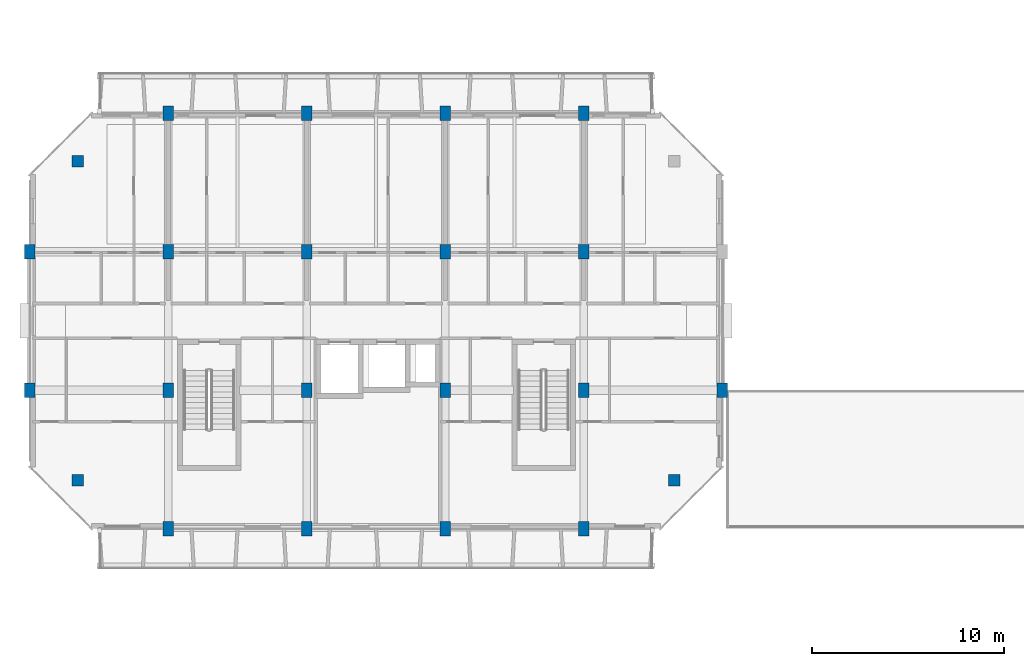
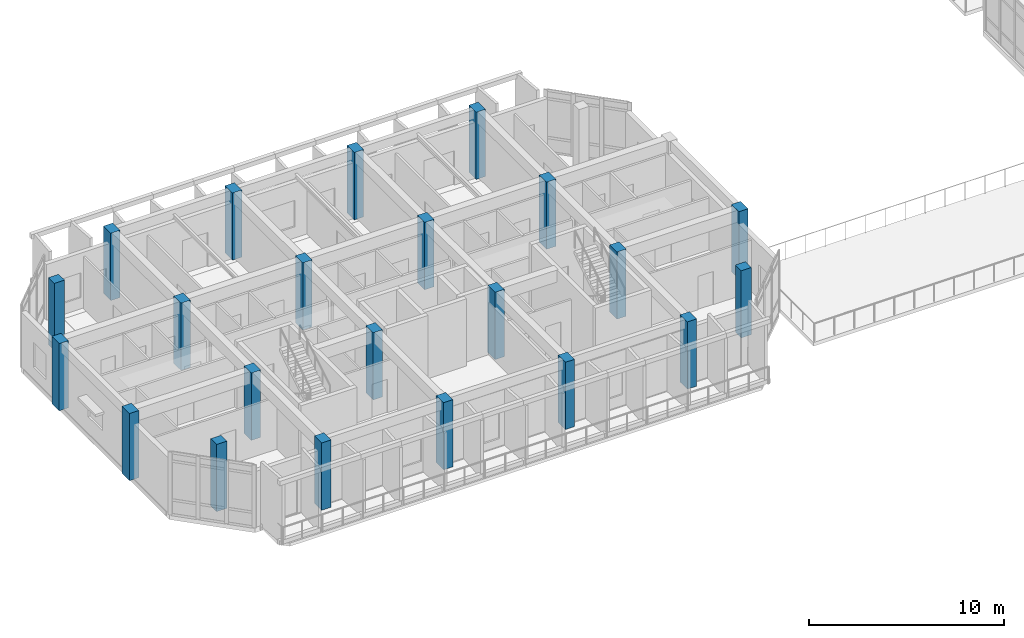
# One storey, part 10 of 85: 22 columns.
"""IFC4 building model written with IfcOpenShell, lengths in metres."""

import ifcopenshell
import ifcopenshell.guid

model = None  # the IFC model being written
_history = None  # IfcOwnerHistory: only IFC2X3 demands one
_inside = {}  # id of a spatial element -> (the spatial element, [elements in it])
_under = {}  # id of a project, library or spatial element -> (it, [spatial elements below it])
_declared = {}  # id of a project -> (the project, [libraries it declares])
_typed = {}  # id of a type object -> (the type object, [elements of that type])
_made_of = {}  # id of a material, layer set ... -> (it, [elements and type objects made of it])


def new_model(schema):
    """Start an empty IFC model of exactly this schema.

    Asked for "IFC4X3", IfcOpenShell would pick the latest addendum, in which some entities
    have other attributes; the version numbers below select the first issue.
    IFC2X3 requires an IfcOwnerHistory on every rooted entity: one is made here for all.
    """
    global model, _history
    if schema == "IFC4X3":
        model = ifcopenshell.file(schema_version=(4, 3, 0, 0))
    else:
        model = ifcopenshell.file(schema=schema)
    _inside.clear()
    _under.clear()
    _declared.clear()
    _typed.clear()
    _made_of.clear()
    _history = None
    if model.schema == "IFC2X3":
        org = make("IfcOrganization", Name="unknown")
        user = make(
            "IfcPersonAndOrganization",
            ThePerson=make("IfcPerson", FamilyName="unknown"),
            TheOrganization=org,
        )
        app = make(
            "IfcApplication",
            ApplicationDeveloper=org,
            Version="unknown",
            ApplicationFullName="unknown",
            ApplicationIdentifier="unknown",
        )
        _history = make(
            "IfcOwnerHistory",
            OwningUser=user,
            OwningApplication=app,
            ChangeAction="ADDED",
            CreationDate=0,
        )
    return model


def make(cls, **values):
    """One entity of the class cls with the attributes given. An attribute that is None is left unset."""
    return model.create_entity(
        cls, **{name: value for name, value in values.items() if value is not None}
    )


def rooted(cls, **values):
    """An entity with a GlobalId (a new one), such as an element, a storey or a relation."""
    return make(cls, GlobalId=ifcopenshell.guid.new(), OwnerHistory=_history, **values)


def si_unit(unit_type, name, prefix=None):
    """IfcSIUnit, for example si_unit("LENGTHUNIT", "METRE", prefix="MILLI")."""
    return make("IfcSIUnit", UnitType=unit_type, Prefix=prefix, Name=name)


def assignment(units):
    """IfcUnitAssignment: the units of a project."""
    return None if units is None else make("IfcUnitAssignment", Units=units)


def point(xyz):
    """IfcCartesianPoint."""
    return None if xyz is None else make("IfcCartesianPoint", Coordinates=xyz)


def direction(xyz):
    """IfcDirection."""
    return None if xyz is None else make("IfcDirection", DirectionRatios=xyz)


def frame(location, z_axis=None, x_axis=None):
    """IfcAxis2Placement3D, a coordinate frame: its origin and axes. An axis left out is left unset."""
    return make(
        "IfcAxis2Placement3D",
        Location=point(location),
        Axis=direction(z_axis),
        RefDirection=direction(x_axis),
    )


def frame_2d(location, x_axis=None):
    """IfcAxis2Placement2D, a coordinate frame in the plane: its origin and x axis."""
    return make(
        "IfcAxis2Placement2D", Location=point(location), RefDirection=direction(x_axis)
    )


def origin():
    """The frame at (0, 0, 0) with its axes left unset."""
    return frame((0.0, 0.0, 0.0))


def origin_2d():
    """The frame at (0, 0) in the plane with its x axis left unset."""
    return frame_2d((0.0, 0.0))


def place(relative_to, where):
    """IfcLocalPlacement: puts the frame where relative to a parent placement (None: the world)."""
    return make(
        "IfcLocalPlacement", PlacementRelTo=relative_to, RelativePlacement=where
    )


def context(
    kind, dimensions, precision=None, world=None, true_north=None, identifier=None
):
    """IfcGeometricRepresentationContext, for example the 3D "Model" context."""
    return make(
        "IfcGeometricRepresentationContext",
        ContextIdentifier=identifier,
        ContextType=kind,
        CoordinateSpaceDimension=dimensions,
        Precision=precision,
        WorldCoordinateSystem=world,
        TrueNorth=true_north,
    )


def subcontext(parent, identifier, kind, view, scale=None):
    """IfcGeometricRepresentationSubContext, for example "Body" below "Model"."""
    return make(
        "IfcGeometricRepresentationSubContext",
        ContextIdentifier=identifier,
        ContextType=kind,
        ParentContext=parent,
        TargetScale=scale,
        TargetView=view,
    )


def project(units=None, contexts=None):
    """IfcProject with its units and contexts."""
    return rooted(
        "IfcProject",
        Name="project",
        RepresentationContexts=contexts,
        UnitsInContext=assignment(units),
    )


def spatial(cls, under=None, at=None, **own):
    """A site, building, storey or space (cls), placed at a placement, below another one or the project."""
    s = rooted(cls, ObjectPlacement=at, **own)
    if under is not None:
        _under.setdefault(under.id(), (under, []))[1].append(s)
    return s


def profile(cls, at=None, kind="AREA", **sizes):
    """A parametric profile (cls). Its sizes go by their IFC names, for example OverallWidth=200.0."""
    return make(cls, ProfileType=kind, Position=at, **sizes)


def rectangle(**sizes):
    """IfcRectangleProfileDef."""
    return profile("IfcRectangleProfileDef", **sizes)


def extrude(swept, where, along, depth):
    """IfcExtrudedAreaSolid: the profile swept, set in the frame where, extruded along a direction by depth."""
    return make(
        "IfcExtrudedAreaSolid",
        SweptArea=swept,
        Position=where,
        ExtrudedDirection=direction(along),
        Depth=depth,
    )


def shape(context_of_items, identifier, shape_type, items):
    """IfcShapeRepresentation: the items that make up one representation, for example the "Body"."""
    return make(
        "IfcShapeRepresentation",
        ContextOfItems=context_of_items,
        RepresentationIdentifier=identifier,
        RepresentationType=shape_type,
        Items=items,
    )


def material(Name=None, Category=None):
    """IfcMaterial."""
    return make("IfcMaterial", Name=Name, Category=Category)


def material_profile(
    of_material, cross_section, Name=None, Category=None, Priority=None
):
    """IfcMaterialProfile: a cross section and its material."""
    return make(
        "IfcMaterialProfile",
        Name=Name,
        Material=of_material,
        Profile=cross_section,
        Priority=Priority,
        Category=Category,
    )


def profile_set(profiles, Name=None, composite=None):
    """IfcMaterialProfileSet."""
    return make(
        "IfcMaterialProfileSet",
        Name=Name,
        MaterialProfiles=profiles,
        CompositeProfile=composite,
    )


def made_of(thing, what):
    """Note that an element or type object is made of a material, layer set ...; save() writes the relation."""
    if what is not None:
        _made_of.setdefault(what.id(), (what, []))[1].append(thing)
    return thing


def type_object(cls, material=None, **own):
    """A type object (cls), such as IfcWallType, which elements share."""
    return made_of(rooted(cls, **own), material)


def element(
    cls,
    number,
    at=None,
    inside=None,
    cuts=None,
    type_object=None,
    material=None,
    context=None,
    identifier="Body",
    shape_type=None,
    held_by="IfcProductDefinitionShape",
    body=None,
    shapes=None,
    **own,
):
    """One element of the class cls, such as IfcWall. Its Tag is "e" and its number.

    at: its placement. inside: the storey or other place that contains it. cuts: it is an
    opening in that element (IfcRelVoidsElement). A single representation is given by context,
    identifier, shape_type and body (its items); several are given by shapes. held_by: the class
    of the entity that holds the representations. save() writes the other relations.
    """
    e = rooted(cls, Tag="e%d" % number, ObjectPlacement=at, **own)
    if body is not None:
        shapes = [shape(context, identifier, shape_type, body)]
    if shapes is not None:
        e.Representation = make(held_by, Representations=shapes)
    if inside is not None:
        _inside.setdefault(inside.id(), (inside, []))[1].append(e)
    if cuts is not None:
        rooted(
            "IfcRelVoidsElement", RelatingBuildingElement=cuts, RelatedOpeningElement=e
        )
    if type_object is not None:
        _typed.setdefault(type_object.id(), (type_object, []))[1].append(e)
    return made_of(e, material)


def aggregate(whole, parts):
    """IfcRelAggregates: a whole, such as a stair, and the parts it consists of."""
    return rooted("IfcRelAggregates", RelatingObject=whole, RelatedObjects=parts)


def save(model, path):
    """Write the relations noted so far, then the file.

    IfcRelAggregates (storeys below a building ...), IfcRelContainedInSpatialStructure (elements
    in a storey), IfcRelDefinesByType, IfcRelAssociatesMaterial and IfcRelDeclares: one each for
    every whole, place, type object, material and project.
    """
    for whole, parts in _under.values():
        aggregate(whole, parts)
    for where, things in _inside.values():
        rooted(
            "IfcRelContainedInSpatialStructure",
            RelatedElements=things,
            RelatingStructure=where,
        )
    for kind, things in _typed.values():
        rooted("IfcRelDefinesByType", RelatedObjects=things, RelatingType=kind)
    for what, things in _made_of.values():
        rooted("IfcRelAssociatesMaterial", RelatedObjects=things, RelatingMaterial=what)
    for by, libraries in _declared.values():
        rooted("IfcRelDeclares", RelatingContext=by, RelatedDefinitions=libraries)
    model.write(path)


model = new_model("IFC4")

# Units and contexts
model_context = context("Model", 3, precision=1e-05, world=origin(), true_north=direction((0.0, 1.0)))
body_context = subcontext(model_context, "Body", "Model", "MODEL_VIEW")
ifc_project = project(units=[si_unit("LENGTHUNIT", "METRE"), si_unit("AREAUNIT", "SQUARE_METRE"), si_unit("VOLUMEUNIT", "CUBIC_METRE"), si_unit("PLANEANGLEUNIT", "RADIAN"), si_unit("MASSUNIT", "GRAM", prefix="KILO")], contexts=[model_context])

# Site, building, storey
site_placement = place(None, origin())
site = spatial("IfcSite", under=ifc_project, at=site_placement, CompositionType="ELEMENT")
building_placement = place(site_placement, origin())
building = spatial("IfcBuilding", under=site, at=building_placement, Name="Ochrevale Crest", CompositionType="ELEMENT")
storey_placement = place(building_placement, frame((0.0, 0.0, 4.5)))
storey = spatial("IfcBuildingStorey", under=building, at=storey_placement, Name="L01", CompositionType="ELEMENT", Elevation=4.5)

# Columns
ifc_material = material(Name="Precast concrete C50/60", Category="concrete")
ifc_material_profile_1 = material_profile(ifc_material, rectangle(XDim=0.550048828125, YDim=0.75, at=origin_2d()), Name="RC 550x750")
ifc_profile_set_1 = profile_set([ifc_material_profile_1], Name="Precast concrete C50/60")
column_type_1 = type_object("IfcColumnType", Name="COL-RC550x750", PredefinedType="COLUMN", material=ifc_profile_set_1)
for number, where, z_axis, x_axis, name in (
    (1, (0.0, 79.199951171875, 0.0), (0.0, 0.0, 1.0), (1.0, 0.0, 0.0), "Block B L01 column (0.0,79.2)"),
    (2, (0.0, 86.39990234375, 0.0), (0.0, 0.0, 1.0), (1.0, 0.0, 0.0), "Block B L01 column (0.0,86.4)"),
    (3, (7.199951171875, 72.0, 0.0), (0.0, 0.0, 1.0), (1.0, 0.0, 0.0), "Block B L01 column (7.2,72.0)"),
    (4, (7.199951171875, 79.199951171875, 0.0), (0.0, 0.0, 1.0), (1.0, 0.0, 0.0), "Block B L01 column (7.2,79.2)"),
    (5, (7.199951171875, 86.39990234375, 0.0), (0.0, 0.0, 1.0), (1.0, 0.0, 0.0), "Block B L01 column (7.2,86.4)"),
    (6, (7.199951171875, 93.60009765625, 0.0), (0.0, 0.0, 1.0), (1.0, 0.0, 0.0), "Block B L01 column (7.2,93.6)"),
    (7, (14.39990234375, 72.0, 0.0), (0.0, 0.0, 1.0), (1.0, 0.0, 0.0), "Block B L01 column (14.4,72.0)"),
    (8, (14.39990234375, 79.199951171875, 0.0), (0.0, 0.0, 1.0), (1.0, 0.0, 0.0), "Block B L01 column (14.4,79.2)"),
    (9, (14.39990234375, 86.39990234375, 0.0), (0.0, 0.0, 1.0), (1.0, 0.0, 0.0), "Block B L01 column (14.4,86.4)"),
    (10, (14.39990234375, 93.60009765625, 0.0), (0.0, 0.0, 1.0), (1.0, 0.0, 0.0), "Block B L01 column (14.4,93.6)"),
    (11, (21.60009765625, 72.0, 0.0), (0.0, 0.0, 1.0), (1.0, 0.0, 0.0), "Block B L01 column (21.6,72.0)"),
    (12, (21.60009765625, 79.199951171875, 0.0), (0.0, 0.0, 1.0), (1.0, 0.0, 0.0), "Block B L01 column (21.6,79.2)"),
    (13, (21.60009765625, 86.39990234375, 0.0), (0.0, 0.0, 1.0), (1.0, 0.0, 0.0), "Block B L01 column (21.6,86.4)"),
    (14, (21.60009765625, 93.60009765625, 0.0), (0.0, 0.0, 1.0), (1.0, 0.0, 0.0), "Block B L01 column (21.6,93.6)"),
    (15, (28.800048828125, 72.0, 0.0), (0.0, 0.0, 1.0), (1.0, 0.0, 0.0), "Block B L01 column (28.8,72.0)"),
    (16, (28.800048828125, 79.199951171875, 0.0), (0.0, 0.0, 1.0), (1.0, 0.0, 0.0), "Block B L01 column (28.8,79.2)"),
    (17, (28.800048828125, 86.39990234375, 0.0), (0.0, 0.0, 1.0), (1.0, 0.0, 0.0), "Block B L01 column (28.8,86.4)"),
    (18, (28.800048828125, 93.60009765625, 0.0), (0.0, 0.0, 1.0), (1.0, 0.0, 0.0), "Block B L01 column (28.8,93.6)"),
    (19, (36.0, 79.199951171875, 0.0), (0.0, 0.0, 1.0), (1.0, 0.0, 0.0), "Block B L01 column (36.0,79.2)"),
):
    element("IfcColumn", number, at=place(storey_placement, frame(where, z_axis=z_axis, x_axis=x_axis)), inside=storey, type_object=column_type_1, Name=name, PredefinedType="COLUMN", context=body_context, shape_type="SweptSolid", body=[
        extrude(rectangle(XDim=0.550048828125, YDim=0.75, at=origin_2d()), origin(), (0.0, 0.0, 1.0), 4.199951171875),
    ])
ifc_material_profile_2 = material_profile(ifc_material, rectangle(XDim=0.60009765625, YDim=0.60009765625, at=origin_2d()), Name="RC 600x600")
ifc_profile_set_2 = profile_set([ifc_material_profile_2], Name="Precast concrete C50/60")
column_type_2 = type_object("IfcColumnType", Name="COL-RC600x600", PredefinedType="COLUMN", material=ifc_profile_set_2)
for number, where, z_axis, x_axis, name in (
    (20, (2.5, 74.5, 0.0), (0.0, 0.0, 1.0), (1.0, 0.0, 0.0), "Block B L01 column (2.5,74.5)"),
    (21, (2.5, 91.10009765625, 0.0), (0.0, 0.0, 1.0), (1.0, 0.0, 0.0), "Block B L01 column (2.5,91.1)"),
    (22, (33.5, 74.5, 0.0), (0.0, 0.0, 1.0), (1.0, 0.0, 0.0), "Block B L01 column (33.5,74.5)"),
):
    element("IfcColumn", number, at=place(storey_placement, frame(where, z_axis=z_axis, x_axis=x_axis)), inside=storey, type_object=column_type_2, Name=name, PredefinedType="COLUMN", context=body_context, shape_type="SweptSolid", body=[
        extrude(rectangle(XDim=0.60009765625, YDim=0.60009765625, at=origin_2d()), origin(), (0.0, 0.0, 1.0), 4.199951171875),
    ])

save(model, "model.ifc")
